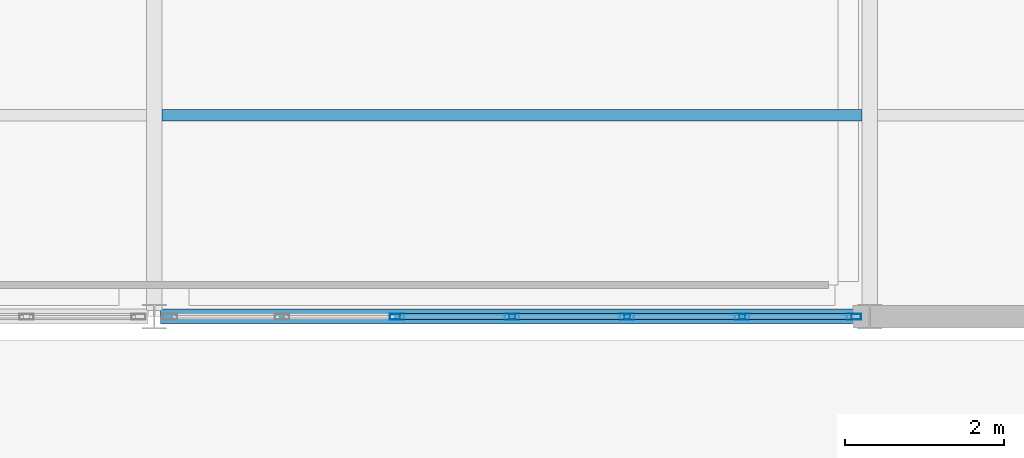
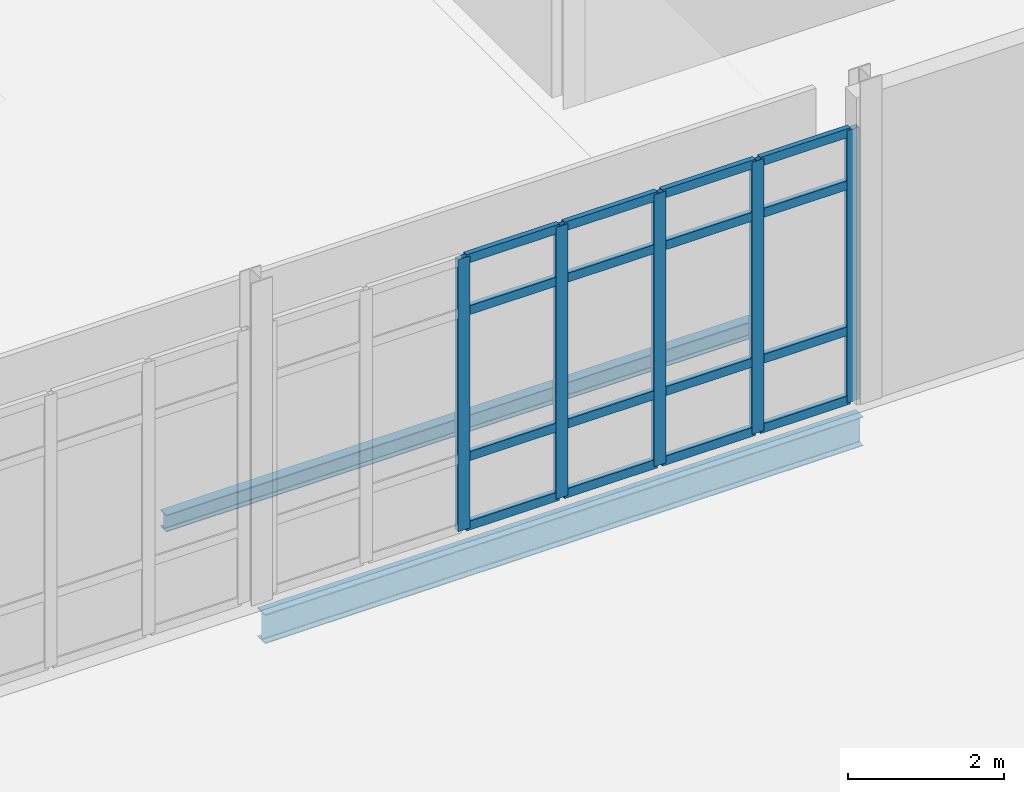
# One storey, part 107 of 161: 21 members, 2 beams, 1 element without a shape of its own.
"""IFC4 building model written with IfcOpenShell, lengths in metres."""

from ifc_helpers import new_model, si_unit, direction, frame, origin, origin_2d, place, context, subcontext, project, spatial, hollow_rectangle, i_section, extrude, material, material_profile, profile_set, type_object, element, aggregate, save


model = new_model("IFC4")

# Units and contexts
model_context = context("Model", 3, precision=1e-05, world=origin(), true_north=direction((0.0, 1.0)))
body_context = subcontext(model_context, "Body", "Model", "MODEL_VIEW")
ifc_project = project(units=[si_unit("LENGTHUNIT", "METRE"), si_unit("AREAUNIT", "SQUARE_METRE"), si_unit("VOLUMEUNIT", "CUBIC_METRE"), si_unit("PLANEANGLEUNIT", "RADIAN"), si_unit("MASSUNIT", "GRAM", prefix="KILO")], contexts=[model_context])

# Site, building, storey
site_placement = place(None, origin())
site = spatial("IfcSite", under=ifc_project, at=site_placement, CompositionType="ELEMENT")
building_placement = place(site_placement, origin())
building = spatial("IfcBuilding", under=site, at=building_placement, Name="Caisbarro Railhouse Central Library", CompositionType="ELEMENT")
storey_placement = place(building_placement, origin())
storey = spatial("IfcBuildingStorey", under=building, at=storey_placement, Name="L00", CompositionType="ELEMENT", Elevation=0.0)

# Beams
ifc_material_1 = material(Name="Steel ASTM A572 Grade 50", Category="steel")
ifc_material_profile_1 = material_profile(ifc_material_1, i_section(OverallWidth=0.14794921875, OverallDepth=0.26611328125, WebThickness=0.007568359375, FlangeThickness=0.012939453125, FilletRadius=0.010009765625, at=origin_2d()), Name="W250X44.8")
ifc_profile_set_1 = profile_set([ifc_material_profile_1], Name="Steel ASTM A572 Grade 50")
beam_type_1 = type_object("IfcBeamType", Name="BM-J04", PredefinedType="JOIST", material=ifc_profile_set_1)
beam_1_placement = place(storey_placement, frame((126.094970703125, 63.333251953125, -0.383056640625), z_axis=(1.0, 0.0, 0.0), x_axis=(0.0, 1.0, 0.0)))
element("IfcBeam", 1, at=beam_1_placement, inside=storey, type_object=beam_type_1, Name="J04 beam L00 #571", PredefinedType="JOIST", context=body_context, shape_type="SweptSolid", body=[
    extrude(i_section(OverallWidth=0.14794921875, OverallDepth=0.26611328125, WebThickness=0.007568359375, FlangeThickness=0.012939453125, FilletRadius=0.010009765625, at=origin_2d()), origin(), (0.0, 0.0, 1.0), 8.81005859375),
])
ifc_material_profile_2 = material_profile(ifc_material_1, i_section(OverallWidth=0.18994140625, OverallDepth=0.45703125, WebThickness=0.009033203125, FlangeThickness=0.014404296875, FilletRadius=0.01806640625, at=origin_2d()), Name="W460X74.0")
ifc_profile_set_2 = profile_set([ifc_material_profile_2], Name="Steel ASTM A572 Grade 50")
beam_type_2 = type_object("IfcBeamType", Name="BM-SP01", PredefinedType="SPANDREL", material=ifc_profile_set_2)
beam_2_placement = place(storey_placement, frame((126.080078125, 60.800048828125, -0.478515625), z_axis=(1.0, 0.0, 0.0), x_axis=(0.0, 1.0, 0.0)))
element("IfcBeam", 2, at=beam_2_placement, inside=storey, type_object=beam_type_2, Name="SP01 beam L00 #491", PredefinedType="SPANDREL", context=body_context, shape_type="SweptSolid", body=[
    extrude(i_section(OverallWidth=0.18994140625, OverallDepth=0.45703125, WebThickness=0.009033203125, FlangeThickness=0.014404296875, FilletRadius=0.01806640625, at=origin_2d()), origin(), (0.0, 0.0, 1.0), 8.83984375),
])

# Curtain wall, members
ifc_material_2 = material(Name="Anodised architectural aluminium", Category="aluminium")
curtain_wall_type = type_object("IfcCurtainWallType", Name="CW-CW02", PredefinedType="NOTDEFINED", material=ifc_material_2)
curtain_wall_placement = place(storey_placement, origin())
curtain_wall = element("IfcCurtainWall", 3, at=curtain_wall_placement, inside=storey, type_object=curtain_wall_type, Name="CW02 curtain wall L00 #104", PredefinedType="NOTDEFINED")
ifc_material_profile_3 = material_profile(ifc_material_2, hollow_rectangle(XDim=0.074951171875, YDim=0.179931640625, WallThickness=0.00439453125, at=origin_2d()), Name="ALU-MUL-75X180")
ifc_profile_set_3 = profile_set([ifc_material_profile_3], Name="Anodised architectural aluminium")
member_type_1 = type_object("IfcMemberType", Name="CWM-M01", PredefinedType="MULLION", material=ifc_profile_set_3)
member_1_placement = place(storey_placement, frame((129.05322265625, 60.800048828125, 0.0), z_axis=(0.0, 0.0, 1.0), x_axis=(0.0, 1.0, 0.0)))
member_1 = element("IfcMember", 4, at=member_1_placement, type_object=member_type_1, Name="CW02 mullion 3", PredefinedType="MULLION", context=body_context, shape_type="SweptSolid", body=[
    extrude(hollow_rectangle(XDim=0.074951171875, YDim=0.179931640625, WallThickness=0.00439453125, at=origin_2d()), origin(), (0.0, 0.0, 1.0), 4.25),
])
member_2_placement = place(storey_placement, frame((130.5, 60.800048828125, 0.0), z_axis=(0.0, 0.0, 1.0), x_axis=(0.0, 1.0, 0.0)))
member_2 = element("IfcMember", 5, at=member_2_placement, type_object=member_type_1, Name="CW02 mullion 4", PredefinedType="MULLION", context=body_context, shape_type="SweptSolid", body=[
    extrude(hollow_rectangle(XDim=0.074951171875, YDim=0.179931640625, WallThickness=0.00439453125, at=origin_2d()), origin(), (0.0, 0.0, 1.0), 4.25),
])
member_3_placement = place(storey_placement, frame((131.94677734375, 60.800048828125, 0.0), z_axis=(0.0, 0.0, 1.0), x_axis=(0.0, 1.0, 0.0)))
member_3 = element("IfcMember", 6, at=member_3_placement, type_object=member_type_1, Name="CW02 mullion 5", PredefinedType="MULLION", context=body_context, shape_type="SweptSolid", body=[
    extrude(hollow_rectangle(XDim=0.074951171875, YDim=0.179931640625, WallThickness=0.00439453125, at=origin_2d()), origin(), (0.0, 0.0, 1.0), 4.25),
])
member_4_placement = place(storey_placement, frame((133.393310546875, 60.800048828125, 0.0), z_axis=(0.0, 0.0, 1.0), x_axis=(0.0, 1.0, 0.0)))
member_4 = element("IfcMember", 7, at=member_4_placement, type_object=member_type_1, Name="CW02 mullion 6", PredefinedType="MULLION", context=body_context, shape_type="SweptSolid", body=[
    extrude(hollow_rectangle(XDim=0.074951171875, YDim=0.179931640625, WallThickness=0.00439453125, at=origin_2d()), origin(), (0.0, 0.0, 1.0), 4.25),
])
member_5_placement = place(storey_placement, frame((134.802490234375, 60.800048828125, 0.0), z_axis=(0.0, 0.0, 1.0), x_axis=(0.0, 1.0, 0.0)))
member_5 = element("IfcMember", 8, at=member_5_placement, type_object=member_type_1, Name="CW02 mullion 7", PredefinedType="MULLION", context=body_context, shape_type="SweptSolid", body=[
    extrude(hollow_rectangle(XDim=0.074951171875, YDim=0.179931640625, WallThickness=0.00439453125, at=origin_2d()), origin(), (0.0, 0.0, 1.0), 4.25),
])
ifc_material_profile_4 = material_profile(ifc_material_2, hollow_rectangle(XDim=0.074951171875, YDim=0.139892578125, WallThickness=0.00390625, at=origin_2d()), Name="ALU-TRN-75X140")
ifc_profile_set_4 = profile_set([ifc_material_profile_4], Name="Anodised architectural aluminium")
member_type_2 = type_object("IfcMemberType", Name="CWT-T01", PredefinedType="USERDEFINED", material=ifc_profile_set_4)
member_6_placement = place(storey_placement, frame((129.0908203125, 60.800048828125, 0.03759765625), z_axis=(1.0, 0.0, 0.0), x_axis=(0.0, 1.0, 0.0)))
member_6 = element("IfcMember", 9, at=member_6_placement, type_object=member_type_2, Name="CW02 transom 3.1", ObjectType="TRANSOM", PredefinedType="USERDEFINED", context=body_context, shape_type="SweptSolid", body=[
    extrude(hollow_rectangle(XDim=0.074951171875, YDim=0.139892578125, WallThickness=0.00390625, at=origin_2d()), origin(), (0.0, 0.0, 1.0), 1.37158203125),
])
member_7_placement = place(storey_placement, frame((129.0908203125, 60.800048828125, 1.1201171875), z_axis=(1.0, 0.0, 0.0), x_axis=(0.0, 1.0, 0.0)))
member_7 = element("IfcMember", 10, at=member_7_placement, type_object=member_type_2, Name="CW02 transom 3.2", ObjectType="TRANSOM", PredefinedType="USERDEFINED", context=body_context, shape_type="SweptSolid", body=[
    extrude(hollow_rectangle(XDim=0.074951171875, YDim=0.139892578125, WallThickness=0.00390625, at=origin_2d()), origin(), (0.0, 0.0, 1.0), 1.37158203125),
])
member_8_placement = place(storey_placement, frame((129.0908203125, 60.800048828125, 3.39990234375), z_axis=(1.0, 0.0, 0.0), x_axis=(0.0, 1.0, 0.0)))
member_8 = element("IfcMember", 11, at=member_8_placement, type_object=member_type_2, Name="CW02 transom 3.3", ObjectType="TRANSOM", PredefinedType="USERDEFINED", context=body_context, shape_type="SweptSolid", body=[
    extrude(hollow_rectangle(XDim=0.074951171875, YDim=0.139892578125, WallThickness=0.00390625, at=origin_2d()), origin(), (0.0, 0.0, 1.0), 1.37158203125),
])
member_9_placement = place(storey_placement, frame((129.0908203125, 60.800048828125, 4.21240234375), z_axis=(1.0, 0.0, 0.0), x_axis=(0.0, 1.0, 0.0)))
member_9 = element("IfcMember", 12, at=member_9_placement, type_object=member_type_2, Name="CW02 transom 3.4", ObjectType="TRANSOM", PredefinedType="USERDEFINED", context=body_context, shape_type="SweptSolid", body=[
    extrude(hollow_rectangle(XDim=0.074951171875, YDim=0.139892578125, WallThickness=0.00390625, at=origin_2d()), origin(), (0.0, 0.0, 1.0), 1.37158203125),
])
member_10_placement = place(storey_placement, frame((130.53759765625, 60.800048828125, 0.03759765625), z_axis=(1.0, 0.0, 0.0), x_axis=(0.0, 1.0, 0.0)))
member_10 = element("IfcMember", 13, at=member_10_placement, type_object=member_type_2, Name="CW02 transom 4.1", ObjectType="TRANSOM", PredefinedType="USERDEFINED", context=body_context, shape_type="SweptSolid", body=[
    extrude(hollow_rectangle(XDim=0.074951171875, YDim=0.139892578125, WallThickness=0.00390625, at=origin_2d()), origin(), (0.0, 0.0, 1.0), 1.37158203125),
])
member_11_placement = place(storey_placement, frame((130.53759765625, 60.800048828125, 1.1201171875), z_axis=(1.0, 0.0, 0.0), x_axis=(0.0, 1.0, 0.0)))
member_11 = element("IfcMember", 14, at=member_11_placement, type_object=member_type_2, Name="CW02 transom 4.2", ObjectType="TRANSOM", PredefinedType="USERDEFINED", context=body_context, shape_type="SweptSolid", body=[
    extrude(hollow_rectangle(XDim=0.074951171875, YDim=0.139892578125, WallThickness=0.00390625, at=origin_2d()), origin(), (0.0, 0.0, 1.0), 1.37158203125),
])
member_12_placement = place(storey_placement, frame((130.53759765625, 60.800048828125, 3.39990234375), z_axis=(1.0, 0.0, 0.0), x_axis=(0.0, 1.0, 0.0)))
member_12 = element("IfcMember", 15, at=member_12_placement, type_object=member_type_2, Name="CW02 transom 4.3", ObjectType="TRANSOM", PredefinedType="USERDEFINED", context=body_context, shape_type="SweptSolid", body=[
    extrude(hollow_rectangle(XDim=0.074951171875, YDim=0.139892578125, WallThickness=0.00390625, at=origin_2d()), origin(), (0.0, 0.0, 1.0), 1.37158203125),
])
member_13_placement = place(storey_placement, frame((130.53759765625, 60.800048828125, 4.21240234375), z_axis=(1.0, 0.0, 0.0), x_axis=(0.0, 1.0, 0.0)))
member_13 = element("IfcMember", 16, at=member_13_placement, type_object=member_type_2, Name="CW02 transom 4.4", ObjectType="TRANSOM", PredefinedType="USERDEFINED", context=body_context, shape_type="SweptSolid", body=[
    extrude(hollow_rectangle(XDim=0.074951171875, YDim=0.139892578125, WallThickness=0.00390625, at=origin_2d()), origin(), (0.0, 0.0, 1.0), 1.37158203125),
])
member_14_placement = place(storey_placement, frame((131.984130859375, 60.800048828125, 0.03759765625), z_axis=(1.0, 0.0, 0.0), x_axis=(0.0, 1.0, 0.0)))
member_14 = element("IfcMember", 17, at=member_14_placement, type_object=member_type_2, Name="CW02 transom 5.1", ObjectType="TRANSOM", PredefinedType="USERDEFINED", context=body_context, shape_type="SweptSolid", body=[
    extrude(hollow_rectangle(XDim=0.074951171875, YDim=0.139892578125, WallThickness=0.00390625, at=origin_2d()), origin(), (0.0, 0.0, 1.0), 1.37158203125),
])
member_15_placement = place(storey_placement, frame((131.984130859375, 60.800048828125, 1.1201171875), z_axis=(1.0, 0.0, 0.0), x_axis=(0.0, 1.0, 0.0)))
member_15 = element("IfcMember", 18, at=member_15_placement, type_object=member_type_2, Name="CW02 transom 5.2", ObjectType="TRANSOM", PredefinedType="USERDEFINED", context=body_context, shape_type="SweptSolid", body=[
    extrude(hollow_rectangle(XDim=0.074951171875, YDim=0.139892578125, WallThickness=0.00390625, at=origin_2d()), origin(), (0.0, 0.0, 1.0), 1.37158203125),
])
member_16_placement = place(storey_placement, frame((131.984130859375, 60.800048828125, 3.39990234375), z_axis=(1.0, 0.0, 0.0), x_axis=(0.0, 1.0, 0.0)))
member_16 = element("IfcMember", 19, at=member_16_placement, type_object=member_type_2, Name="CW02 transom 5.3", ObjectType="TRANSOM", PredefinedType="USERDEFINED", context=body_context, shape_type="SweptSolid", body=[
    extrude(hollow_rectangle(XDim=0.074951171875, YDim=0.139892578125, WallThickness=0.00390625, at=origin_2d()), origin(), (0.0, 0.0, 1.0), 1.37158203125),
])
member_17_placement = place(storey_placement, frame((131.984130859375, 60.800048828125, 4.21240234375), z_axis=(1.0, 0.0, 0.0), x_axis=(0.0, 1.0, 0.0)))
member_17 = element("IfcMember", 20, at=member_17_placement, type_object=member_type_2, Name="CW02 transom 5.4", ObjectType="TRANSOM", PredefinedType="USERDEFINED", context=body_context, shape_type="SweptSolid", body=[
    extrude(hollow_rectangle(XDim=0.074951171875, YDim=0.139892578125, WallThickness=0.00390625, at=origin_2d()), origin(), (0.0, 0.0, 1.0), 1.37158203125),
])
member_18_placement = place(storey_placement, frame((133.430908203125, 60.800048828125, 0.03759765625), z_axis=(1.0, 0.0, 0.0), x_axis=(0.0, 1.0, 0.0)))
member_18 = element("IfcMember", 21, at=member_18_placement, type_object=member_type_2, Name="CW02 transom 6.1", ObjectType="TRANSOM", PredefinedType="USERDEFINED", context=body_context, shape_type="SweptSolid", body=[
    extrude(hollow_rectangle(XDim=0.074951171875, YDim=0.139892578125, WallThickness=0.00390625, at=origin_2d()), origin(), (0.0, 0.0, 1.0), 1.333984375),
])
member_19_placement = place(storey_placement, frame((133.430908203125, 60.800048828125, 1.1201171875), z_axis=(1.0, 0.0, 0.0), x_axis=(0.0, 1.0, 0.0)))
member_19 = element("IfcMember", 22, at=member_19_placement, type_object=member_type_2, Name="CW02 transom 6.2", ObjectType="TRANSOM", PredefinedType="USERDEFINED", context=body_context, shape_type="SweptSolid", body=[
    extrude(hollow_rectangle(XDim=0.074951171875, YDim=0.139892578125, WallThickness=0.00390625, at=origin_2d()), origin(), (0.0, 0.0, 1.0), 1.333984375),
])
member_20_placement = place(storey_placement, frame((133.430908203125, 60.800048828125, 3.39990234375), z_axis=(1.0, 0.0, 0.0), x_axis=(0.0, 1.0, 0.0)))
member_20 = element("IfcMember", 23, at=member_20_placement, type_object=member_type_2, Name="CW02 transom 6.3", ObjectType="TRANSOM", PredefinedType="USERDEFINED", context=body_context, shape_type="SweptSolid", body=[
    extrude(hollow_rectangle(XDim=0.074951171875, YDim=0.139892578125, WallThickness=0.00390625, at=origin_2d()), origin(), (0.0, 0.0, 1.0), 1.333984375),
])
member_21_placement = place(storey_placement, frame((133.430908203125, 60.800048828125, 4.21240234375), z_axis=(1.0, 0.0, 0.0), x_axis=(0.0, 1.0, 0.0)))
member_21 = element("IfcMember", 24, at=member_21_placement, type_object=member_type_2, Name="CW02 transom 6.4", ObjectType="TRANSOM", PredefinedType="USERDEFINED", context=body_context, shape_type="SweptSolid", body=[
    extrude(hollow_rectangle(XDim=0.074951171875, YDim=0.139892578125, WallThickness=0.00390625, at=origin_2d()), origin(), (0.0, 0.0, 1.0), 1.333984375),
])
aggregate(curtain_wall, [member_1, member_2, member_3, member_4, member_5, member_6, member_7, member_8, member_9, member_10, member_11, member_12, member_13, member_14, member_15, member_16, member_17, member_18, member_19, member_20, member_21])

save(model, "model.ifc")
